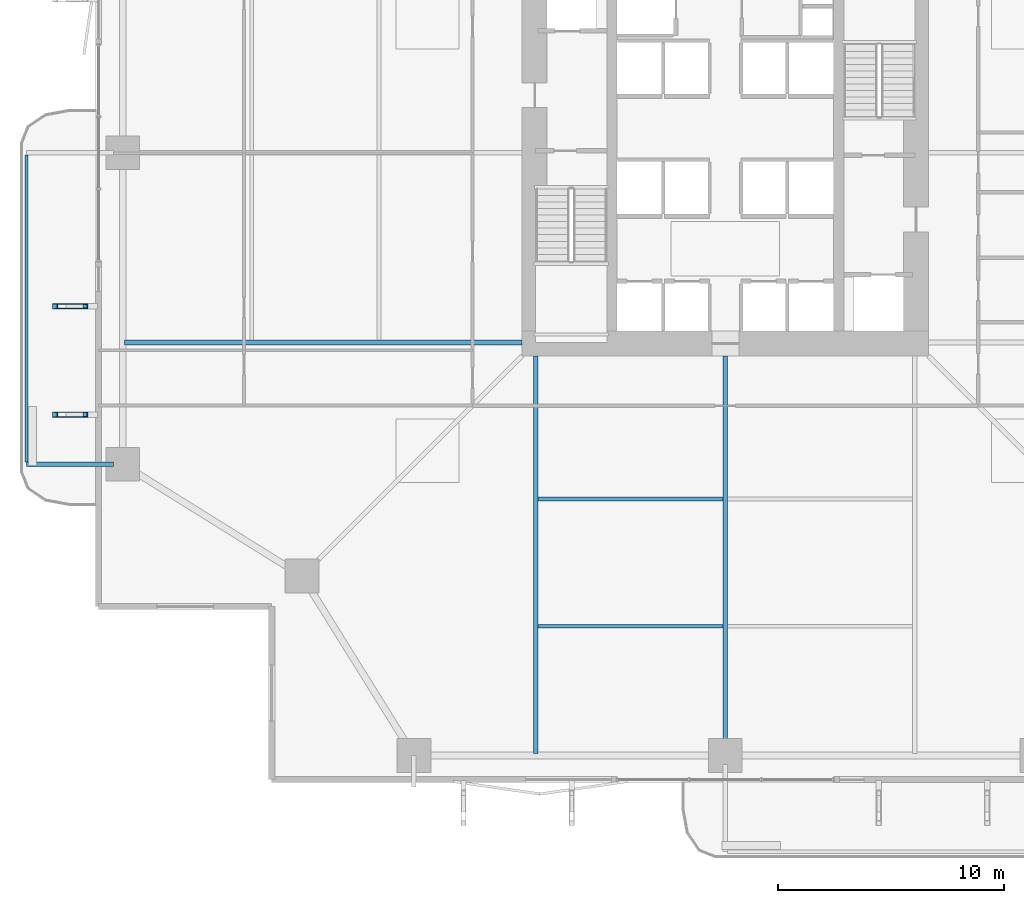
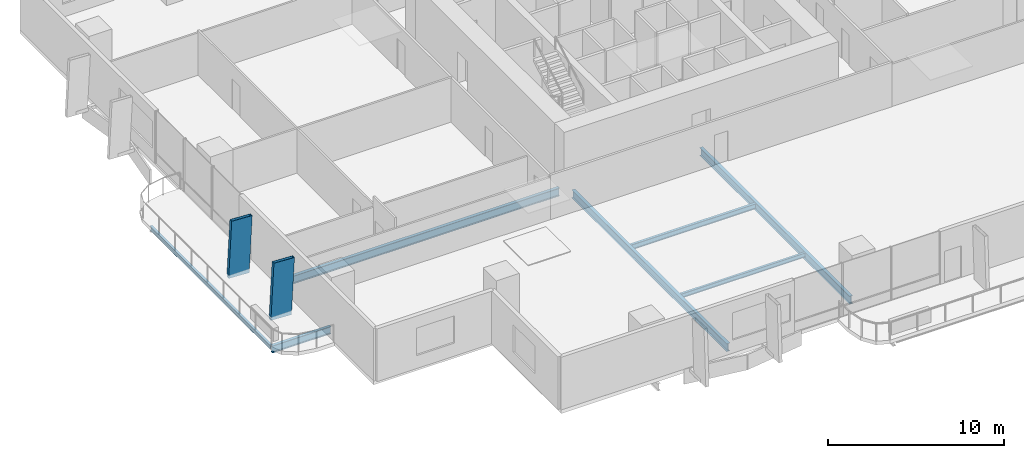
# One storey, part 3 of 24: 7 beams, 2 members.
"""IFC4 building model written with IfcOpenShell, lengths in metres."""

from ifc_helpers import new_model, si_unit, direction, frame, origin, origin_2d, place, context, subcontext, project, spatial, hollow_rectangle, i_section, extrude, material, material_profile, profile_set, type_object, element, save


model = new_model("IFC4")

# Units and contexts
model_context = context("Model", 3, precision=1e-05, world=origin(), true_north=direction((0.0, 1.0)))
body_context = subcontext(model_context, "Body", "Model", "MODEL_VIEW")
ifc_project = project(units=[si_unit("LENGTHUNIT", "METRE"), si_unit("AREAUNIT", "SQUARE_METRE"), si_unit("VOLUMEUNIT", "CUBIC_METRE"), si_unit("PLANEANGLEUNIT", "RADIAN"), si_unit("MASSUNIT", "GRAM", prefix="KILO")], contexts=[model_context])

# Site, building, storey
site_placement = place(None, origin())
site = spatial("IfcSite", under=ifc_project, at=site_placement, CompositionType="ELEMENT")
building_placement = place(site_placement, origin())
building = spatial("IfcBuilding", under=site, at=building_placement, Name="Belovzor Exchange Tower", CompositionType="ELEMENT")
storey_placement = place(building_placement, frame((0.0, 0.0, 72.89990234375)))
storey = spatial("IfcBuildingStorey", under=building, at=storey_placement, Name="L17", CompositionType="ELEMENT", Elevation=72.89990234375)

# Members
ifc_material_1 = material(Name="Extruded Architectural Terracotta on Steel S355 Carrier", Category="masonry")
ifc_material_profile_1 = material_profile(ifc_material_1, hollow_rectangle(XDim=0.219970703125, YDim=1.35009765625, WallThickness=0.013916015625, at=origin_2d()))
ifc_profile_set_1 = profile_set([ifc_material_profile_1], Name="Extruded Architectural Terracotta on Steel S355 Carrier")
member_type = type_object("IfcMemberType", Name="Base Arc Sweeping Terracotta Pylon Fin 1450", PredefinedType="USERDEFINED", material=ifc_profile_set_1)
for number, where, z_axis, x_axis, name in (
    (1, (-0.326904296875, 17.199951171875, -0.25), (0.051449765599, 0.0, 0.998675583771), (0.0, 1.0, 0.0), "FIN-TC145 Terracotta Facade Fin L17 W1"),
    (2, (-0.326904296875, 22.0, -0.25), (0.051449765599, 0.0, 0.998675583771), (0.0, 1.0, 0.0), "FIN-TC145 Terracotta Facade Fin L17 W2"),
):
    element("IfcMember", number, at=place(storey_placement, frame(where, z_axis=z_axis, x_axis=x_axis)), inside=storey, type_object=member_type, Name=name, ObjectType="FIN", PredefinedType="USERDEFINED", context=body_context, shape_type="SweptSolid", body=[
        extrude(hollow_rectangle(XDim=0.219970703125, YDim=1.35009765625, WallThickness=0.013916015625, at=origin_2d()), origin(), (0.0, 0.0, 1.0), 3.9052734375),
    ])

# Beams
ifc_material_2 = material(Name="Steel S355", Category="steel")
ifc_material_profile_2 = material_profile(ifc_material_2, i_section(OverallWidth=0.199951171875, OverallDepth=0.5, WebThickness=0.01025390625, FlangeThickness=0.01611328125, at=origin_2d()))
ifc_profile_set_2 = profile_set([ifc_material_profile_2], Name="Steel S355")
beam_type_1 = type_object("IfcBeamType", Name="Planted Balcony Cantilever Beam IPE 500", PredefinedType="BEAM", material=ifc_profile_set_2)
beam_1_placement = place(storey_placement, frame((1.68798828125, 15.0, -0.5), z_axis=(-1.0, 0.0, 0.0), x_axis=(0.0, -1.0, 0.0)))
element("IfcBeam", 3, at=beam_1_placement, inside=storey, type_object=beam_type_1, Name="BC-500 Planted Balcony Cantilever Beam IPE 500", PredefinedType="BEAM", context=body_context, shape_type="SweptSolid", body=[
    extrude(i_section(OverallWidth=0.199951171875, OverallDepth=0.5, WebThickness=0.01025390625, FlangeThickness=0.01611328125, at=origin_2d()), origin(), (0.0, 0.0, 1.0), 3.85009765625),
])
ifc_material_3 = material(Name="Steel S355", Category="steel")
ifc_material_profile_3 = material_profile(ifc_material_3, i_section(OverallWidth=0.14990234375, OverallDepth=0.300048828125, WebThickness=0.007080078125, FlangeThickness=0.0107421875, at=origin_2d()))
ifc_profile_set_3 = profile_set([ifc_material_profile_3], Name="Steel S355")
beam_type_2 = type_object("IfcBeamType", Name="Planted Balcony Fascia Edge Beam IPE 300", PredefinedType="BEAM", material=ifc_profile_set_3)
beam_2_placement = place(storey_placement, frame((-2.162109375, 28.699951171875, -0.39990234375), z_axis=(0.0, -1.0, 0.0), x_axis=(1.0, 0.0, 0.0)))
element("IfcBeam", 4, at=beam_2_placement, inside=storey, type_object=beam_type_2, Name="BC-300 Planted Balcony Fascia Edge Beam IPE 300", PredefinedType="BEAM", context=body_context, shape_type="SweptSolid", body=[
    extrude(i_section(OverallWidth=0.14990234375, OverallDepth=0.300048828125, WebThickness=0.007080078125, FlangeThickness=0.0107421875, at=origin_2d()), origin(), (0.0, 0.0, 1.0), 13.599853515625),
])
ifc_material_4 = material(Name="Steel S355", Category="steel")
ifc_material_profile_4 = material_profile(ifc_material_4, i_section(OverallWidth=0.169921875, OverallDepth=0.360107421875, WebThickness=0.008056640625, FlangeThickness=0.0126953125, at=origin_2d()))
ifc_profile_set_4 = profile_set([ifc_material_profile_4], Name="Steel S355")
beam_type_3 = type_object("IfcBeamType", Name="Secondary Infill Floor Joist IPE 360", PredefinedType="BEAM", material=ifc_profile_set_4)
beam_3_placement = place(storey_placement, frame((20.5048828125, 13.455078125, -0.429931640625), z_axis=(1.0, 0.0, 0.0), x_axis=(0.0, 1.0, 0.0)))
element("IfcBeam", 5, at=beam_3_placement, inside=storey, type_object=beam_type_3, Name="FJ-360 Secondary Infill Floor Joist IPE 360", PredefinedType="BEAM", context=body_context, shape_type="SweptSolid", body=[
    extrude(i_section(OverallWidth=0.169921875, OverallDepth=0.360107421875, WebThickness=0.008056640625, FlangeThickness=0.0126953125, at=origin_2d()), origin(), (0.0, 0.0, 1.0), 8.190185546875),
])
ifc_material_5 = material(Name="Steel S355", Category="steel")
ifc_material_profile_5 = material_profile(ifc_material_5, i_section(OverallWidth=0.14990234375, OverallDepth=0.300048828125, WebThickness=0.007080078125, FlangeThickness=0.0107421875, at=origin_2d()))
ifc_profile_set_5 = profile_set([ifc_material_profile_5], Name="Steel S355")
beam_type_4 = type_object("IfcBeamType", Name="Secondary Trim Floor Joist IPE 300", PredefinedType="BEAM", material=ifc_profile_set_5)
beam_4_placement = place(storey_placement, frame((20.5048828125, 7.81494140625, -0.39990234375), z_axis=(1.0, 0.0, 0.0), x_axis=(0.0, 1.0, 0.0)))
element("IfcBeam", 6, at=beam_4_placement, inside=storey, type_object=beam_type_4, Name="FJ-300 Secondary Trim Floor Joist IPE 300", PredefinedType="BEAM", context=body_context, shape_type="SweptSolid", body=[
    extrude(i_section(OverallWidth=0.14990234375, OverallDepth=0.300048828125, WebThickness=0.007080078125, FlangeThickness=0.0107421875, at=origin_2d()), origin(), (0.0, 0.0, 1.0), 8.190185546875),
])
ifc_material_6 = material(Name="Steel S355", Category="steel")
ifc_material_profile_6 = material_profile(ifc_material_6, i_section(OverallWidth=0.2099609375, OverallDepth=0.550048828125, WebThickness=0.010986328125, FlangeThickness=0.01708984375, at=origin_2d()))
ifc_profile_set_6 = profile_set([ifc_material_profile_6], Name="Steel S355")
beam_type_5 = type_object("IfcBeamType", Name="Zone 1 Radial Composite Floor Beam IPE 550", PredefinedType="BEAM", material=ifc_profile_set_6)
beam_5_placement = place(storey_placement, frame((20.39990234375, 19.800048828125, -0.52490234375), z_axis=(0.0, -1.0, 0.0), x_axis=(1.0, 0.0, 0.0)))
element("IfcBeam", 7, at=beam_5_placement, inside=storey, type_object=beam_type_5, Name="FB-550 Zone 1 Radial Composite Floor Beam IPE 550", PredefinedType="BEAM", context=body_context, shape_type="SweptSolid", body=[
    extrude(i_section(OverallWidth=0.2099609375, OverallDepth=0.550048828125, WebThickness=0.010986328125, FlangeThickness=0.01708984375, at=origin_2d()), origin(), (0.0, 0.0, 1.0), 17.625),
])
beam_6_placement = place(storey_placement, frame((28.800048828125, 19.800048828125, -0.52490234375), z_axis=(0.0, -1.0, 0.0), x_axis=(1.0, 0.0, 0.0)))
element("IfcBeam", 8, at=beam_6_placement, inside=storey, type_object=beam_type_5, Name="FB-550 Zone 1 Radial Composite Floor Beam IPE 550", PredefinedType="BEAM", context=body_context, shape_type="SweptSolid", body=[
    extrude(i_section(OverallWidth=0.2099609375, OverallDepth=0.550048828125, WebThickness=0.010986328125, FlangeThickness=0.01708984375, at=origin_2d()), origin(), (0.0, 0.0, 1.0), 17.0400390625),
])
beam_7_placement = place(storey_placement, frame((19.800048828125, 20.39990234375, -0.52490234375), z_axis=(-1.0, 0.0, 0.0), x_axis=(0.0, -1.0, 0.0)))
element("IfcBeam", 9, at=beam_7_placement, inside=storey, type_object=beam_type_5, Name="FB-550 Zone 1 Radial Composite Floor Beam IPE 550", PredefinedType="BEAM", context=body_context, shape_type="SweptSolid", body=[
    extrude(i_section(OverallWidth=0.2099609375, OverallDepth=0.550048828125, WebThickness=0.010986328125, FlangeThickness=0.01708984375, at=origin_2d()), origin(), (0.0, 0.0, 1.0), 17.625),
])

save(model, "model.ifc")
